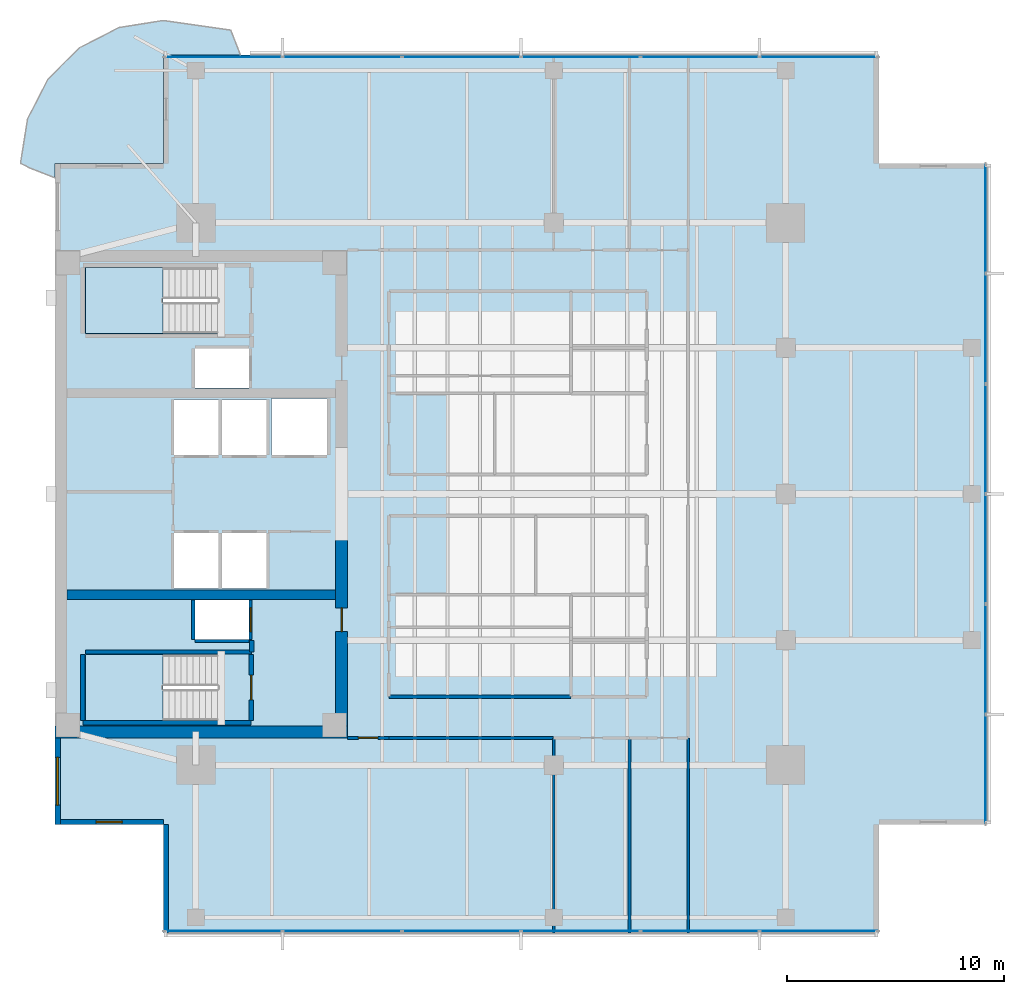
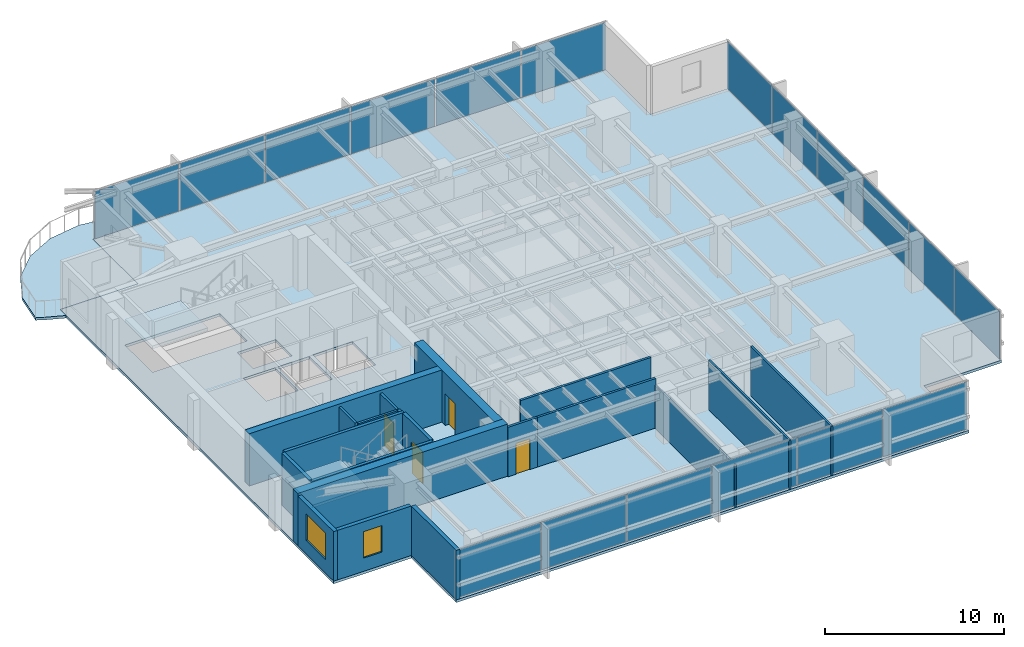
# One storey, part 7 of 15: 20 walls, 18 plates, 4 doors, 4 slabs, 2 windows, 6 openings, 5 elements without a shape of their own.
"""IFC4 building model written with IfcOpenShell, lengths in metres."""

from ifc_helpers import new_model, si_unit, direction, frame, frame_2d, origin, origin_2d, place, context, subcontext, project, spatial, polyline, rectangle, outline, extrude, material, layer, layer_set, type_object, element, fill, aggregate, save


model = new_model("IFC4")

# Units and contexts
model_context = context("Model", 3, precision=1e-05, world=origin(), true_north=direction((0.0, 1.0)))
body_context = subcontext(model_context, "Body", "Model", "MODEL_VIEW")
ifc_project = project(units=[si_unit("LENGTHUNIT", "METRE"), si_unit("AREAUNIT", "SQUARE_METRE"), si_unit("VOLUMEUNIT", "CUBIC_METRE"), si_unit("PLANEANGLEUNIT", "RADIAN"), si_unit("MASSUNIT", "GRAM", prefix="KILO")], contexts=[model_context])

# Site, building, storey
site_placement = place(None, origin())
site = spatial("IfcSite", under=ifc_project, at=site_placement, CompositionType="ELEMENT")
building_placement = place(site_placement, origin())
building = spatial("IfcBuilding", under=site, at=building_placement, Name="Kinhvarn Gate Tower", CompositionType="ELEMENT")
storey_placement = place(building_placement, frame((0.0, 0.0, 220.0)))
storey = spatial("IfcBuildingStorey", under=building, at=storey_placement, Name="L58", CompositionType="ELEMENT", Elevation=220.0)

# Curtain wall, plates
ifc_material_1 = material(Name="Anodised aluminium AW-6063", Category="aluminium")
ifc_layer_1 = layer(ifc_material_1, 0.179931640625)
ifc_layer_set_1 = layer_set([ifc_layer_1], Name="Anodised aluminium AW-6063")
curtain_wall_type = type_object("IfcCurtainWallType", Name="CW-SYS-3", PredefinedType="NOTDEFINED", material=ifc_layer_set_1)
curtain_wall_1_placement = place(storey_placement, origin())
curtain_wall_1 = element("IfcCurtainWall", 1, at=curtain_wall_1_placement, inside=storey, type_object=curtain_wall_type, Name="Curtain Wall CW3 (L58)", PredefinedType="NOTDEFINED")
ifc_material_2 = material(Name="Clear low-e double glazing", Category="glass")
ifc_layer_2 = layer(ifc_material_2, 0.031982421875)
ifc_layer_set_2 = layer_set([ifc_layer_2], Name="Clear low-e double glazing")
plate_type = type_object("IfcPlateType", Name="CW-PNL-VIS", PredefinedType="CURTAIN_PANEL", material=ifc_layer_set_2)
plate_1_placement = place(storey_placement, frame((12.266357421875, 5.090087890625, 0.070068359375), z_axis=(0.0, 0.0, 1.0), x_axis=(1.0, 0.0, 0.0)))
plate_1 = element("IfcPlate", 2, at=plate_1_placement, type_object=plate_type, Name="CW3 panel 1.1", PredefinedType="CURTAIN_PANEL", context=body_context, shape_type="SweptSolid", body=[
    extrude(rectangle(XDim=5.402587890625, YDim=0.031982421875, at=origin_2d()), origin(), (0.0, 0.0, 1.0), 3.22998046875),
])
plate_2_placement = place(storey_placement, frame((17.75, 5.090087890625, 0.070068359375), z_axis=(0.0, 0.0, 1.0), x_axis=(1.0, 0.0, 0.0)))
plate_2 = element("IfcPlate", 3, at=plate_2_placement, type_object=plate_type, Name="CW3 panel 2.1", PredefinedType="CURTAIN_PANEL", context=body_context, shape_type="SweptSolid", body=[
    extrude(rectangle(XDim=5.43505859375, YDim=0.031982421875, at=origin_2d()), origin(), (0.0, 0.0, 1.0), 3.22998046875),
])
plate_3_placement = place(storey_placement, frame((23.25, 5.090087890625, 0.070068359375), z_axis=(0.0, 0.0, 1.0), x_axis=(1.0, 0.0, 0.0)))
plate_3 = element("IfcPlate", 4, at=plate_3_placement, type_object=plate_type, Name="CW3 panel 3.1", PredefinedType="CURTAIN_PANEL", context=body_context, shape_type="SweptSolid", body=[
    extrude(rectangle(XDim=5.43505859375, YDim=0.031982421875, at=origin_2d()), origin(), (0.0, 0.0, 1.0), 3.22998046875),
])
plate_4_placement = place(storey_placement, frame((28.75, 5.090087890625, 0.070068359375), z_axis=(0.0, 0.0, 1.0), x_axis=(1.0, 0.0, 0.0)))
plate_4 = element("IfcPlate", 5, at=plate_4_placement, type_object=plate_type, Name="CW3 panel 4.1", PredefinedType="CURTAIN_PANEL", context=body_context, shape_type="SweptSolid", body=[
    extrude(rectangle(XDim=5.43505859375, YDim=0.031982421875, at=origin_2d()), origin(), (0.0, 0.0, 1.0), 3.22998046875),
])
plate_5_placement = place(storey_placement, frame((34.25, 5.090087890625, 0.070068359375), z_axis=(0.0, 0.0, 1.0), x_axis=(1.0, 0.0, 0.0)))
plate_5 = element("IfcPlate", 6, at=plate_5_placement, type_object=plate_type, Name="CW3 panel 5.1", PredefinedType="CURTAIN_PANEL", context=body_context, shape_type="SweptSolid", body=[
    extrude(rectangle(XDim=5.43505859375, YDim=0.031982421875, at=origin_2d()), origin(), (0.0, 0.0, 1.0), 3.22998046875),
])
plate_6_placement = place(storey_placement, frame((39.733642578125, 5.090087890625, 0.070068359375), z_axis=(0.0, 0.0, 1.0), x_axis=(1.0, 0.0, 0.0)))
plate_6 = element("IfcPlate", 7, at=plate_6_placement, type_object=plate_type, Name="CW3 panel 6.1", PredefinedType="CURTAIN_PANEL", context=body_context, shape_type="SweptSolid", body=[
    extrude(rectangle(XDim=5.402587890625, YDim=0.031982421875, at=origin_2d()), origin(), (0.0, 0.0, 1.0), 3.22998046875),
])
aggregate(curtain_wall_1, [plate_1, plate_2, plate_3, plate_4, plate_5, plate_6])

curtain_wall_2_placement = place(storey_placement, origin())
curtain_wall_2 = element("IfcCurtainWall", 8, at=curtain_wall_2_placement, inside=storey, type_object=curtain_wall_type, Name="Curtain Wall CW3 (L58)", PredefinedType="NOTDEFINED")
plate_7_placement = place(storey_placement, frame((39.733642578125, 45.409912109375, 0.070068359375), z_axis=(0.0, 0.0, 1.0), x_axis=(-1.0, 0.0, 0.0)))
plate_7 = element("IfcPlate", 9, at=plate_7_placement, type_object=plate_type, Name="CW3 panel 1.1", PredefinedType="CURTAIN_PANEL", context=body_context, shape_type="SweptSolid", body=[
    extrude(rectangle(XDim=5.402587890625, YDim=0.031982421875, at=origin_2d()), origin(), (0.0, 0.0, 1.0), 3.22998046875),
])
plate_8_placement = place(storey_placement, frame((34.25, 45.409912109375, 0.070068359375), z_axis=(0.0, 0.0, 1.0), x_axis=(-1.0, 0.0, 0.0)))
plate_8 = element("IfcPlate", 10, at=plate_8_placement, type_object=plate_type, Name="CW3 panel 2.1", PredefinedType="CURTAIN_PANEL", context=body_context, shape_type="SweptSolid", body=[
    extrude(rectangle(XDim=5.43505859375, YDim=0.031982421875, at=origin_2d()), origin(), (0.0, 0.0, 1.0), 3.22998046875),
])
plate_9_placement = place(storey_placement, frame((28.75, 45.409912109375, 0.070068359375), z_axis=(0.0, 0.0, 1.0), x_axis=(-1.0, 0.0, 0.0)))
plate_9 = element("IfcPlate", 11, at=plate_9_placement, type_object=plate_type, Name="CW3 panel 3.1", PredefinedType="CURTAIN_PANEL", context=body_context, shape_type="SweptSolid", body=[
    extrude(rectangle(XDim=5.43505859375, YDim=0.031982421875, at=origin_2d()), origin(), (0.0, 0.0, 1.0), 3.22998046875),
])
plate_10_placement = place(storey_placement, frame((23.25, 45.409912109375, 0.070068359375), z_axis=(0.0, 0.0, 1.0), x_axis=(-1.0, 0.0, 0.0)))
plate_10 = element("IfcPlate", 12, at=plate_10_placement, type_object=plate_type, Name="CW3 panel 4.1", PredefinedType="CURTAIN_PANEL", context=body_context, shape_type="SweptSolid", body=[
    extrude(rectangle(XDim=5.43505859375, YDim=0.031982421875, at=origin_2d()), origin(), (0.0, 0.0, 1.0), 3.22998046875),
])
plate_11_placement = place(storey_placement, frame((17.75, 45.409912109375, 0.070068359375), z_axis=(0.0, 0.0, 1.0), x_axis=(-1.0, 0.0, 0.0)))
plate_11 = element("IfcPlate", 13, at=plate_11_placement, type_object=plate_type, Name="CW3 panel 5.1", PredefinedType="CURTAIN_PANEL", context=body_context, shape_type="SweptSolid", body=[
    extrude(rectangle(XDim=5.43505859375, YDim=0.031982421875, at=origin_2d()), origin(), (0.0, 0.0, 1.0), 3.22998046875),
])
plate_12_placement = place(storey_placement, frame((12.266357421875, 45.409912109375, 0.070068359375), z_axis=(0.0, 0.0, 1.0), x_axis=(-1.0, 0.0, 0.0)))
plate_12 = element("IfcPlate", 14, at=plate_12_placement, type_object=plate_type, Name="CW3 panel 6.1", PredefinedType="CURTAIN_PANEL", context=body_context, shape_type="SweptSolid", body=[
    extrude(rectangle(XDim=5.402587890625, YDim=0.031982421875, at=origin_2d()), origin(), (0.0, 0.0, 1.0), 3.22998046875),
])
aggregate(curtain_wall_2, [plate_7, plate_8, plate_9, plate_10, plate_11, plate_12])

curtain_wall_3_placement = place(storey_placement, origin())
curtain_wall_3 = element("IfcCurtainWall", 15, at=curtain_wall_3_placement, inside=storey, type_object=curtain_wall_type, Name="Curtain Wall CW3 (L58)", PredefinedType="NOTDEFINED")
plate_13_placement = place(storey_placement, frame((47.409912109375, 12.557861328125, 0.070068359375), z_axis=(0.0, 0.0, 1.0), x_axis=(0.0, 1.0, 0.0)))
plate_13 = element("IfcPlate", 16, at=plate_13_placement, type_object=plate_type, Name="CW3 panel 1.1", PredefinedType="CURTAIN_PANEL", context=body_context, shape_type="SweptSolid", body=[
    extrude(rectangle(XDim=4.98583984375, YDim=0.031982421875, at=origin_2d()), origin(), (0.0, 0.0, 1.0), 3.22998046875),
])
plate_14_placement = place(storey_placement, frame((47.409912109375, 17.625, 0.070068359375), z_axis=(0.0, 0.0, 1.0), x_axis=(0.0, 1.0, 0.0)))
plate_14 = element("IfcPlate", 17, at=plate_14_placement, type_object=plate_type, Name="CW3 panel 2.1", PredefinedType="CURTAIN_PANEL", context=body_context, shape_type="SweptSolid", body=[
    extrude(rectangle(XDim=5.018310546875, YDim=0.031982421875, at=origin_2d()), origin(), (0.0, 0.0, 1.0), 3.22998046875),
])
plate_15_placement = place(storey_placement, frame((47.409912109375, 22.708251953125, 0.070068359375), z_axis=(0.0, 0.0, 1.0), x_axis=(0.0, 1.0, 0.0)))
plate_15 = element("IfcPlate", 18, at=plate_15_placement, type_object=plate_type, Name="CW3 panel 3.1", PredefinedType="CURTAIN_PANEL", context=body_context, shape_type="SweptSolid", body=[
    extrude(rectangle(XDim=5.018310546875, YDim=0.031982421875, at=origin_2d()), origin(), (0.0, 0.0, 1.0), 3.22998046875),
])
plate_16_placement = place(storey_placement, frame((47.409912109375, 27.791748046875, 0.070068359375), z_axis=(0.0, 0.0, 1.0), x_axis=(0.0, 1.0, 0.0)))
plate_16 = element("IfcPlate", 19, at=plate_16_placement, type_object=plate_type, Name="CW3 panel 4.1", PredefinedType="CURTAIN_PANEL", context=body_context, shape_type="SweptSolid", body=[
    extrude(rectangle(XDim=5.018310546875, YDim=0.031982421875, at=origin_2d()), origin(), (0.0, 0.0, 1.0), 3.22998046875),
])
plate_17_placement = place(storey_placement, frame((47.409912109375, 32.875, 0.070068359375), z_axis=(0.0, 0.0, 1.0), x_axis=(0.0, 1.0, 0.0)))
plate_17 = element("IfcPlate", 20, at=plate_17_placement, type_object=plate_type, Name="CW3 panel 5.1", PredefinedType="CURTAIN_PANEL", context=body_context, shape_type="SweptSolid", body=[
    extrude(rectangle(XDim=5.018310546875, YDim=0.031982421875, at=origin_2d()), origin(), (0.0, 0.0, 1.0), 3.22998046875),
])
plate_18_placement = place(storey_placement, frame((47.409912109375, 37.942138671875, 0.070068359375), z_axis=(0.0, 0.0, 1.0), x_axis=(0.0, 1.0, 0.0)))
plate_18 = element("IfcPlate", 21, at=plate_18_placement, type_object=plate_type, Name="CW3 panel 6.1", PredefinedType="CURTAIN_PANEL", context=body_context, shape_type="SweptSolid", body=[
    extrude(rectangle(XDim=4.98583984375, YDim=0.031982421875, at=origin_2d()), origin(), (0.0, 0.0, 1.0), 3.22998046875),
])
aggregate(curtain_wall_3, [plate_13, plate_14, plate_15, plate_16, plate_17, plate_18])

# Slabs
ifc_material_3 = material(Name="Precast white architectural concrete C40/50", Category="concrete")
ifc_layer_3 = layer(ifc_material_3, 0.179931640625)
ifc_layer_set_3 = layer_set([ifc_layer_3], Name="Precast white architectural concrete C40/50")
slab_type_1 = type_object("IfcSlabType", Name="SLB-BAL-180", PredefinedType="FLOOR", material=ifc_layer_set_3)
slab_1_placement = place(storey_placement, frame((0.0, 0.0, -0.179931640625)))
element("IfcSlab", 22, at=slab_1_placement, inside=storey, type_object=slab_type_1, Name="S-Carve Curved Terrace Balcony Slab L58 (NW)", PredefinedType="FLOOR", context=body_context, shape_type="SweptSolid", body=[
    extrude(outline(polyline([(13.056884765625, 45.5), (12.60693359375, 46.641845703125), (9.5, 47.0859375), (7.46484375, 46.763671875), (5.62890625, 45.828125), (4.171875, 44.37109375), (3.236328125, 42.53515625), (2.9140625, 40.5), (3.358154296875, 40.281982421875), (4.5, 39.83203125), (4.5, 40.5), (9.5, 40.5), (9.5, 45.5), (13.056884765625, 45.5)])), origin(), (0.0, 0.0, 1.0), 0.179931640625),
])
ifc_material_4 = material(Name="Concrete C40/50", Category="concrete")
ifc_layer_4 = layer(ifc_material_4, 0.179931640625)
ifc_layer_set_4 = layer_set([ifc_layer_4], Name="Concrete C40/50")
slab_type_2 = type_object("IfcSlabType", Name="SLB-FLR-180", PredefinedType="FLOOR", material=ifc_layer_set_4)
slab_2_placement = place(storey_placement, frame((0.0, 0.0, -0.179931640625)))
element("IfcSlab", 23, at=slab_2_placement, inside=storey, type_object=slab_type_2, Name="Suspended Floor Slab L58", PredefinedType="FLOOR", context=body_context, shape_type="SweptSolid", body=[
    extrude(outline(polyline([(9.5, 5.0), (42.5, 5.0), (42.5, 10.0), (47.5, 10.0), (47.5, 40.5), (42.5, 40.5), (42.5, 45.5), (9.5, 45.5), (9.5, 40.5), (4.5, 40.5), (4.5, 10.0), (9.5, 10.0), (9.5, 5.0)]), holes=[polyline([(5.89990234375, 14.800048828125), (12.0, 14.800048828125), (12.0, 17.85009765625), (5.89990234375, 17.85009765625), (5.89990234375, 14.800048828125)]), polyline([(5.89990234375, 32.64990234375), (12.0, 32.64990234375), (12.0, 35.699951171875), (5.89990234375, 35.699951171875), (5.89990234375, 32.64990234375)]), polyline([(10.0, 20.89990234375), (12.050048828125, 20.89990234375), (12.050048828125, 23.449951171875), (10.0, 23.449951171875), (10.0, 20.89990234375)]), polyline([(12.199951171875, 20.89990234375), (14.25, 20.89990234375), (14.25, 23.449951171875), (12.199951171875, 23.449951171875), (12.199951171875, 20.89990234375)]), polyline([(10.0, 27.050048828125), (12.050048828125, 27.050048828125), (12.050048828125, 29.60009765625), (10.0, 29.60009765625), (10.0, 27.050048828125)]), polyline([(12.199951171875, 27.050048828125), (14.25, 27.050048828125), (14.25, 29.60009765625), (12.199951171875, 29.60009765625), (12.199951171875, 27.050048828125)]), polyline([(14.5, 27.050048828125), (17.050048828125, 27.050048828125), (17.050048828125, 29.64990234375), (14.5, 29.64990234375), (14.5, 27.050048828125)]), polyline([(10.949951171875, 18.550048828125), (13.449951171875, 18.550048828125), (13.449951171875, 20.35009765625), (10.949951171875, 20.35009765625), (10.949951171875, 18.550048828125)]), polyline([(10.949951171875, 30.14990234375), (13.449951171875, 30.14990234375), (13.449951171875, 31.949951171875), (10.949951171875, 31.949951171875), (10.949951171875, 30.14990234375)])]), origin(), (0.0, 0.0, 1.0), 0.179931640625),
])

# Stair, slab
stair_type = type_object("IfcStairType", Name="STR-DLG-178", PredefinedType="HALF_TURN_STAIR", material=ifc_material_4)
stair_1_placement = place(storey_placement, origin())
stair_1 = element("IfcStair", 24, at=stair_1_placement, inside=storey, type_object=stair_type, Name="L58 Core Smokeproof Exit Stair ST1", PredefinedType="HALF_TURN_STAIR")
ifc_layer_5 = layer(ifc_material_4, 0.199951171875)
ifc_layer_set_5 = layer_set([ifc_layer_5], Name="Concrete C40/50")
slab_type_3 = type_object("IfcSlabType", Name="SLB-ST-LND", PredefinedType="LANDING", material=ifc_layer_set_5)
slab_3_placement = place(storey_placement, frame((0.0, 0.0, 1.574951171875)))
slab_3 = element("IfcSlab", 25, at=slab_3_placement, type_object=slab_type_3, Name="ST1 landing 1", PredefinedType="LANDING", context=body_context, shape_type="SweptSolid", body=[
    extrude(outline(polyline([(9.47998046875, 17.85009765625), (5.89990234375, 17.85009765625), (5.89990234375, 14.800048828125), (9.47998046875, 14.800048828125), (9.47998046875, 17.85009765625)])), origin(), (0.0, 0.0, 1.0), 0.199951171875),
])
aggregate(stair_1, [slab_3])

stair_2_placement = place(storey_placement, origin())
stair_2 = element("IfcStair", 26, at=stair_2_placement, inside=storey, type_object=stair_type, Name="L58 Core Smokeproof Exit Stair ST2", PredefinedType="HALF_TURN_STAIR")
slab_4_placement = place(storey_placement, frame((0.0, 0.0, 1.574951171875)))
slab_4 = element("IfcSlab", 27, at=slab_4_placement, type_object=slab_type_3, Name="ST2 landing 1", PredefinedType="LANDING", context=body_context, shape_type="SweptSolid", body=[
    extrude(outline(polyline([(9.47998046875, 35.699951171875), (5.89990234375, 35.699951171875), (5.89990234375, 32.64990234375), (9.47998046875, 32.64990234375), (9.47998046875, 35.699951171875)])), origin(), (0.0, 0.0, 1.0), 0.199951171875),
])
aggregate(stair_2, [slab_4])

# Walls
ifc_material_5 = material(Name="Concrete C50/60", Category="concrete")
ifc_layer_6 = layer(ifc_material_5, 0.449951171875)
ifc_layer_set_6 = layer_set([ifc_layer_6], Name="Concrete C50/60")
wall_type_1 = type_object("IfcWallType", Name="WL-CORE-450", PredefinedType="SHEAR", material=ifc_layer_set_6)
wall_1_placement = place(storey_placement, frame((5.050048828125, 20.60009765625, 0.0), z_axis=(0.0, 0.0, 1.0), x_axis=(1.0, 0.0, 0.0)))
element("IfcWall", 28, at=wall_1_placement, inside=storey, type_object=wall_type_1, Name="Core South Spine Shear Wall L58 450 mm", PredefinedType="SHEAR", context=body_context, shape_type="SweptSolid", body=[
    extrude(rectangle(XDim=12.39990234375, YDim=0.449951171875, at=frame_2d((6.199951171875, 0.0))), origin(), (0.0, 0.0, 1.0), 3.550048828125),
])
ifc_material_6 = material(Name="Concrete C60/75", Category="concrete")
ifc_layer_7 = layer(ifc_material_6, 0.550048828125)
ifc_layer_set_7 = layer_set([ifc_layer_7], Name="Concrete C60/75")
wall_type_2 = type_object("IfcWallType", Name="WL-CORE-550", PredefinedType="SHEAR", material=ifc_layer_set_7)
wall_2_placement = place(storey_placement, frame((4.5, 14.27490234375, 0.0), z_axis=(0.0, 0.0, 1.0), x_axis=(1.0, 0.0, 0.0)))
element("IfcWall", 29, at=wall_2_placement, inside=storey, type_object=wall_type_2, Name="Core South Shear Wall L58 550 mm", PredefinedType="SHEAR", context=body_context, shape_type="SweptSolid", body=[
    extrude(rectangle(XDim=13.5, YDim=0.550048828125, at=frame_2d((6.75, 0.0))), origin(), (0.0, 0.0, 1.0), 3.550048828125),
])

# Wall, opening, door
wall_3_placement = place(storey_placement, frame((17.72509765625, 14.550048828125, 0.0), z_axis=(0.0, 0.0, 1.0), x_axis=(0.0, 1.0, 0.0)))
wall_3 = element("IfcWall", 30, at=wall_3_placement, inside=storey, type_object=wall_type_2, Name="Core East-South Shear Pier L58 550 mm", PredefinedType="SHEAR", context=body_context, shape_type="SweptSolid", body=[
    extrude(rectangle(XDim=8.89990234375, YDim=0.550048828125, at=frame_2d((4.449951171875, 0.0))), origin(), (0.0, 0.0, 1.0), 3.550048828125),
])
opening_1_placement = place(wall_3_placement, frame((4.35009765625, 0.0, 0.0)))
opening_1 = element("IfcOpeningElement", 31, at=opening_1_placement, cuts=wall_3, Name="Opening FD-02", PredefinedType="OPENING", context=body_context, shape_type="SweptSolid", body=[
    extrude(rectangle(XDim=1.10009765625, YDim=2.14990234375, at=frame_2d((0.550048828125, 1.074951171875))), frame((0.0, 0.28515625, 0.0), z_axis=(0.0, -1.0, 0.0), x_axis=(1.0, 0.0, 0.0)), (0.0, 0.0, 1.0), 0.570068359375),
])
door_type_1 = type_object("IfcDoorType", Name="DR-FD-1100", OperationType="NOTDEFINED", PredefinedType="DOOR", material=ifc_material_1)
door_1_placement = place(opening_1_placement, origin())
door_1 = element("IfcDoor", 32, at=door_1_placement, inside=storey, type_object=door_type_1, Name="Firefighting Lobby Core Door (L58)", OperationType="SINGLE_SWING_RIGHT", OverallHeight=2.14990234375, OverallWidth=1.10009765625, PredefinedType="DOOR", context=body_context, shape_type="SweptSolid", body=[
    extrude(rectangle(XDim=1.10009765625, YDim=2.14990234375, at=frame_2d((0.550048828125, 1.074951171875))), frame((0.0, 0.02490234375, 0.0), z_axis=(0.0, -1.0, 0.0), x_axis=(1.0, 0.0, 0.0)), (0.0, 0.0, 1.0), 0.050048828125),
])
fill(opening_1, door_1)

# Wall, opening, window
ifc_material_7 = material(Name="Fired architectural terracotta", Category="masonry")
ifc_layer_8 = layer(ifc_material_7, 0.25)
ifc_layer_set_8 = layer_set([ifc_layer_8], Name="Fired architectural terracotta")
wall_type_3 = type_object("IfcWallType", Name="WL-EXT-250", PredefinedType="SOLIDWALL", material=ifc_layer_set_8)
wall_4_placement = place(storey_placement, frame((4.625, 14.0, 0.0), z_axis=(0.0, 0.0, 1.0), x_axis=(0.0, -1.0, 0.0)))
wall_4 = element("IfcWall", 33, at=wall_4_placement, inside=storey, type_object=wall_type_3, Name="Exterior Solidwall Wall EW-250 (L58 West-South)", PredefinedType="SOLIDWALL", context=body_context, shape_type="SweptSolid", body=[
    extrude(rectangle(XDim=4.0, YDim=0.25, at=frame_2d((2.0, 0.0))), origin(), (0.0, 0.0, 1.0), 3.3701171875),
])
opening_2_placement = place(wall_4_placement, frame((0.89990234375, 0.0, 0.89990234375)))
opening_2 = element("IfcOpeningElement", 34, at=opening_2_placement, cuts=wall_4, Name="Opening WN-01", PredefinedType="OPENING", context=body_context, shape_type="SweptSolid", body=[
    extrude(rectangle(XDim=2.199951171875, YDim=1.800048828125, at=frame_2d((1.10009765625, 0.89990234375))), frame((0.0, 0.135009765625, 0.0), z_axis=(0.0, -1.0, 0.0), x_axis=(1.0, 0.0, 0.0)), (0.0, 0.0, 1.0), 0.27001953125),
])
window_type_1 = type_object("IfcWindowType", Name="WIN-RIB-2200", PartitioningType="SINGLE_PANEL", PredefinedType="WINDOW", material=ifc_material_2)
window_1_placement = place(opening_2_placement, origin())
window_1 = element("IfcWindow", 35, at=window_1_placement, inside=storey, type_object=window_type_1, Name="West Flank Double-Glazed Ribbon Window 2200x1800 mm (L58)", OverallHeight=1.800048828125, OverallWidth=2.199951171875, PartitioningType="SINGLE_PANEL", PredefinedType="WINDOW", context=body_context, shape_type="SweptSolid", body=[
    extrude(rectangle(XDim=2.199951171875, YDim=1.800048828125, at=frame_2d((1.10009765625, 0.89990234375))), frame((0.0, 0.030029296875, 0.0), z_axis=(0.0, -1.0, 0.0), x_axis=(1.0, 0.0, 0.0)), (0.0, 0.0, 1.0), 0.06005859375),
])
fill(opening_2, window_1)

wall_5_placement = place(storey_placement, frame((4.5, 10.125, 0.0), z_axis=(0.0, 0.0, 1.0), x_axis=(1.0, 0.0, 0.0)))
wall_5 = element("IfcWall", 36, at=wall_5_placement, inside=storey, type_object=wall_type_3, Name="Exterior Solidwall Wall EW-250 (L58 SW-Notch-1)", PredefinedType="SOLIDWALL", context=body_context, shape_type="SweptSolid", body=[
    extrude(rectangle(XDim=5.0, YDim=0.25, at=frame_2d((2.5, 0.0))), origin(), (0.0, 0.0, 1.0), 3.3701171875),
])
opening_3_placement = place(wall_5_placement, frame((1.89990234375, 0.0, 0.89990234375)))
opening_3 = element("IfcOpeningElement", 37, at=opening_3_placement, cuts=wall_5, Name="Opening WN-02", PredefinedType="OPENING", context=body_context, shape_type="SweptSolid", body=[
    extrude(rectangle(XDim=1.199951171875, YDim=1.800048828125, at=frame_2d((0.60009765625, 0.89990234375))), frame((0.0, 0.135009765625, 0.0), z_axis=(0.0, -1.0, 0.0), x_axis=(1.0, 0.0, 0.0)), (0.0, 0.0, 1.0), 0.27001953125),
])
window_type_2 = type_object("IfcWindowType", Name="WIN-NTC-1200", PartitioningType="SINGLE_PANEL", PredefinedType="WINDOW", material=ifc_material_2)
window_2_placement = place(opening_3_placement, origin())
window_2 = element("IfcWindow", 38, at=window_2_placement, inside=storey, type_object=window_type_2, Name="Recessed Corner Notch Punched Window 1200x1800 mm (L58)", OverallHeight=1.800048828125, OverallWidth=1.199951171875, PartitioningType="SINGLE_PANEL", PredefinedType="WINDOW", context=body_context, shape_type="SweptSolid", body=[
    extrude(rectangle(XDim=1.199951171875, YDim=1.800048828125, at=frame_2d((0.60009765625, 0.89990234375))), frame((0.0, 0.030029296875, 0.0), z_axis=(0.0, -1.0, 0.0), x_axis=(1.0, 0.0, 0.0)), (0.0, 0.0, 1.0), 0.06005859375),
])
fill(opening_3, window_2)

# Walls
wall_6_placement = place(storey_placement, frame((9.625, 10.0, 0.0), z_axis=(0.0, 0.0, 1.0), x_axis=(0.0, -1.0, 0.0)))
element("IfcWall", 39, at=wall_6_placement, inside=storey, type_object=wall_type_3, Name="Exterior Solidwall Wall EW-250 (L58 SW-Notch-2)", PredefinedType="SOLIDWALL", context=body_context, shape_type="SweptSolid", body=[
    extrude(rectangle(XDim=5.0, YDim=0.25, at=frame_2d((2.5, 0.0))), origin(), (0.0, 0.0, 1.0), 3.3701171875),
])
ifc_material_8 = material(Name="Gypsum acoustic partition board")
ifc_layer_9 = layer(ifc_material_8, 0.1201171875)
ifc_layer_set_9 = layer_set([ifc_layer_9], Name="Gypsum acoustic partition board")
wall_type_4 = type_object("IfcWallType", Name="WL-PRT-120", PredefinedType="PARTITIONING", material=ifc_layer_set_9)
wall_7_placement = place(storey_placement, frame((27.5, 5.010009765625, 0.0), z_axis=(0.0, 0.0, 1.0), x_axis=(0.0, 1.0, 0.0)))
element("IfcWall", 40, at=wall_7_placement, inside=storey, type_object=wall_type_4, Name="Interior Partition PW-120 (L58)", PredefinedType="PARTITIONING", context=body_context, shape_type="SweptSolid", body=[
    extrude(rectangle(XDim=8.989990234375, YDim=0.1201171875, at=frame_2d((4.4951171875, 0.0))), origin(), (0.0, 0.0, 1.0), 2.919921875),
])
for number, where, z_axis, x_axis, name in (
    (41, (31.0, 5.010009765625, 0.0), (0.0, 0.0, 1.0), (0.0, 1.0, 0.0), "Interior Partition PW-120 (L58)"),
    (42, (33.699951171875, 5.010009765625, 0.0), (0.0, 0.0, 1.0), (0.0, 1.0, 0.0), "Interior Partition PW-120 (L58)"),
):
    element("IfcWall", number, at=place(storey_placement, frame(where, z_axis=z_axis, x_axis=x_axis)), inside=storey, type_object=wall_type_4, Name=name, PredefinedType="PARTITIONING", context=body_context, shape_type="SweptSolid", body=[
        extrude(rectangle(XDim=8.989990234375, YDim=0.1201171875, at=frame_2d((4.4951171875, 0.0))), origin(), (0.0, 0.0, 1.0), 3.3701171875),
    ])

# Wall, opening, door
ifc_layer_10 = layer(ifc_material_8, 0.14990234375)
ifc_layer_set_10 = layer_set([ifc_layer_10], Name="Gypsum acoustic partition board")
wall_type_5 = type_object("IfcWallType", Name="WL-PRT-150F", PredefinedType="PARTITIONING", material=ifc_layer_set_10)
wall_8_placement = place(storey_placement, frame((18.0, 14.0, 0.0), z_axis=(0.0, 0.0, 1.0), x_axis=(1.0, 0.0, 0.0)))
wall_8 = element("IfcWall", 43, at=wall_8_placement, inside=storey, type_object=wall_type_5, Name="Interior Partition PW-150F (L58)", PredefinedType="PARTITIONING", context=body_context, shape_type="SweptSolid", body=[
    extrude(rectangle(XDim=1.89990234375, YDim=0.14990234375, at=frame_2d((0.949951171875, 0.0))), origin(), (0.0, 0.0, 1.0), 3.3701171875),
])
opening_4_placement = place(wall_8_placement, frame((0.5, 0.0, 0.0)))
opening_4 = element("IfcOpeningElement", 44, at=opening_4_placement, cuts=wall_8, Name="Opening ID-03", PredefinedType="OPENING", context=body_context, shape_type="SweptSolid", body=[
    extrude(rectangle(XDim=0.89990234375, YDim=2.10009765625, at=frame_2d((0.449951171875, 1.050048828125))), frame((0.0, 0.0849609375, 0.0), z_axis=(0.0, -1.0, 0.0), x_axis=(1.0, 0.0, 0.0)), (0.0, 0.0, 1.0), 0.169921875),
])
door_type_2 = type_object("IfcDoorType", Name="DR-INT-900", OperationType="NOTDEFINED", PredefinedType="DOOR", material=ifc_material_1)
door_2_placement = place(opening_4_placement, origin())
door_2 = element("IfcDoor", 45, at=door_2_placement, inside=storey, type_object=door_type_2, Name="Cellular Office & Restroom Door 900x2100 mm (L58)", OperationType="SINGLE_SWING_RIGHT", OverallHeight=2.10009765625, OverallWidth=0.89990234375, PredefinedType="DOOR", context=body_context, shape_type="SweptSolid", body=[
    extrude(rectangle(XDim=0.89990234375, YDim=2.10009765625, at=frame_2d((0.449951171875, 1.050048828125))), frame((0.0, 0.02490234375, 0.0), z_axis=(0.0, -1.0, 0.0), x_axis=(1.0, 0.0, 0.0)), (0.0, 0.0, 1.0), 0.050048828125),
])
fill(opening_4, door_2)

# Walls
wall_9_placement = place(storey_placement, frame((19.89990234375, 15.89990234375, 0.0), z_axis=(0.0, 0.0, 1.0), x_axis=(1.0, 0.0, 0.0)))
element("IfcWall", 46, at=wall_9_placement, inside=storey, type_object=wall_type_5, Name="Interior Partition PW-150F (L58)", PredefinedType="PARTITIONING", context=body_context, shape_type="SweptSolid", body=[
    extrude(rectangle(XDim=8.400146484375, YDim=0.14990234375, at=frame_2d((4.2001953125, 0.0))), origin(), (0.0, 0.0, 1.0), 3.3701171875),
])
wall_10_placement = place(storey_placement, frame((19.89990234375, 14.0, 0.0), z_axis=(0.0, 0.0, 1.0), x_axis=(1.0, 0.0, 0.0)))
element("IfcWall", 47, at=wall_10_placement, inside=storey, type_object=wall_type_5, Name="Interior Partition PW-150F (L58)", PredefinedType="PARTITIONING", context=body_context, shape_type="SweptSolid", body=[
    extrude(rectangle(XDim=7.60009765625, YDim=0.14990234375, at=frame_2d((3.800048828125, 0.0))), origin(), (0.0, 0.0, 1.0), 3.3701171875),
])
ifc_layer_11 = layer(ifc_material_8, 0.199951171875)
ifc_layer_set_11 = layer_set([ifc_layer_11], Name="Gypsum acoustic partition board")
wall_type_6 = type_object("IfcWallType", Name="WL-PRT-200", PredefinedType="PARTITIONING", material=ifc_layer_set_11)
wall_11_placement = place(storey_placement, frame((13.580078125, 17.9599609375, 0.0), z_axis=(0.0, 0.0, 1.0), x_axis=(0.0, 1.0, 0.0)))
element("IfcWall", 48, at=wall_11_placement, inside=storey, type_object=wall_type_6, Name="Interior Partition PW-200 (L58)", PredefinedType="PARTITIONING", context=body_context, shape_type="SweptSolid", body=[
    extrude(rectangle(XDim=0.5400390625, YDim=0.199951171875, at=frame_2d((0.27001953125, 0.0))), origin(), (0.0, 0.0, 1.0), 3.3701171875),
])
ifc_layer_12 = layer(ifc_material_8, 0.14990234375)
ifc_layer_set_12 = layer_set([ifc_layer_12], Name="Gypsum acoustic partition board")
wall_type_7 = type_object("IfcWallType", Name="WL-SHF-150", PredefinedType="PARTITIONING", material=ifc_layer_set_12)
wall_12_placement = place(storey_placement, frame((10.949951171875, 18.47509765625, 0.0), z_axis=(0.0, 0.0, 1.0), x_axis=(1.0, 0.0, 0.0)))
element("IfcWall", 49, at=wall_12_placement, inside=storey, type_object=wall_type_7, Name="Elevator FF1 Hoistway Wall S (L58)", PredefinedType="PARTITIONING", context=body_context, shape_type="SweptSolid", body=[
    extrude(rectangle(XDim=2.5, YDim=0.14990234375, at=frame_2d((1.25, 0.0))), origin(), (0.0, 0.0, 1.0), 3.3701171875),
])
wall_13_placement = place(storey_placement, frame((10.875, 18.550048828125, 0.0), z_axis=(0.0, 0.0, 1.0), x_axis=(0.0, 1.0, 0.0)))
element("IfcWall", 50, at=wall_13_placement, inside=storey, type_object=wall_type_7, Name="Elevator FF1 Hoistway Wall W (L58)", PredefinedType="PARTITIONING", context=body_context, shape_type="SweptSolid", body=[
    extrude(rectangle(XDim=1.800048828125, YDim=0.14990234375, at=frame_2d((0.89990234375, 0.0))), origin(), (0.0, 0.0, 1.0), 3.3701171875),
])

# Wall, opening, door
wall_14_placement = place(storey_placement, frame((13.52490234375, 18.550048828125, 0.0), z_axis=(0.0, 0.0, 1.0), x_axis=(0.0, 1.0, 0.0)))
wall_14 = element("IfcWall", 51, at=wall_14_placement, inside=storey, type_object=wall_type_7, Name="Elevator FF1 Landing Wall (L58)", PredefinedType="PARTITIONING", context=body_context, shape_type="SweptSolid", body=[
    extrude(rectangle(XDim=1.800048828125, YDim=0.14990234375, at=frame_2d((0.89990234375, 0.0))), origin(), (0.0, 0.0, 1.0), 3.3701171875),
])
opening_5_placement = place(wall_14_placement, frame((0.35009765625, 0.0, 0.0)))
opening_5 = element("IfcOpeningElement", 52, at=opening_5_placement, cuts=wall_14, Name="Opening LD-03", PredefinedType="OPENING", context=body_context, shape_type="SweptSolid", body=[
    extrude(rectangle(XDim=1.10009765625, YDim=2.199951171875, at=frame_2d((0.550048828125, 1.10009765625))), frame((0.0, 0.0849609375, 0.0), z_axis=(0.0, -1.0, 0.0), x_axis=(1.0, 0.0, 0.0)), (0.0, 0.0, 1.0), 0.169921875),
])
door_type_3 = type_object("IfcDoorType", Name="DR-LND-FF", OperationType="NOTDEFINED", PredefinedType="DOOR", material=ifc_material_1)
door_3_placement = place(opening_5_placement, origin())
door_3 = element("IfcDoor", 53, at=door_3_placement, inside=storey, type_object=door_type_3, Name="Elevator FF1 Sliding Landing Door (L58)", OperationType="DOUBLE_DOOR_SLIDING", OverallHeight=2.199951171875, OverallWidth=1.10009765625, PredefinedType="DOOR", context=body_context, shape_type="SweptSolid", body=[
    extrude(rectangle(XDim=1.10009765625, YDim=2.199951171875, at=frame_2d((0.550048828125, 1.10009765625))), frame((0.0, 0.02490234375, 0.0), z_axis=(0.0, -1.0, 0.0), x_axis=(1.0, 0.0, 0.0)), (0.0, 0.0, 1.0), 0.050048828125),
])
fill(opening_5, door_3)

# Walls
ifc_layer_13 = layer(ifc_material_4, 0.199951171875)
ifc_layer_set_13 = layer_set([ifc_layer_13], Name="Concrete C40/50")
wall_type_8 = type_object("IfcWallType", Name="WL-SHF-200", PredefinedType="SOLIDWALL", material=ifc_layer_set_13)
wall_15_placement = place(storey_placement, frame((5.800048828125, 14.699951171875, 0.0), z_axis=(0.0, 0.0, 1.0), x_axis=(1.0, 0.0, 0.0)))
element("IfcWall", 54, at=wall_15_placement, inside=storey, type_object=wall_type_8, Name="Stair ST1 South Shaft Wall (L58)", PredefinedType="SOLIDWALL", context=body_context, shape_type="SweptSolid", body=[
    extrude(rectangle(XDim=7.75, YDim=0.199951171875, at=frame_2d((3.875, 0.0))), origin(), (0.0, 0.0, 1.0), 3.550048828125),
])
wall_16_placement = place(storey_placement, frame((5.7900390625, 14.800048828125, 0.0), z_axis=(0.0, 0.0, 1.0), x_axis=(0.0, 1.0, 0.0)))
element("IfcWall", 55, at=wall_16_placement, inside=storey, type_object=wall_type_8, Name="Stair ST1 West Shaft Wall (L58)", PredefinedType="SOLIDWALL", context=body_context, shape_type="SweptSolid", body=[
    extrude(rectangle(XDim=3.050048828125, YDim=0.199951171875, at=frame_2d((1.52490234375, 0.0))), origin(), (0.0, 0.0, 1.0), 3.550048828125),
])
wall_17_placement = place(storey_placement, frame((5.89990234375, 17.9599609375, 0.0), z_axis=(0.0, 0.0, 1.0), x_axis=(1.0, 0.0, 0.0)))
element("IfcWall", 56, at=wall_17_placement, inside=storey, type_object=wall_type_8, Name="Stair ST1 North Shaft Wall (L58)", PredefinedType="SOLIDWALL", context=body_context, shape_type="SweptSolid", body=[
    extrude(rectangle(XDim=7.66015625, YDim=0.199951171875, at=frame_2d((3.830078125, 0.0))), origin(), (0.0, 0.0, 1.0), 3.550048828125),
])

# Wall, opening, door
wall_18_placement = place(storey_placement, frame((13.56005859375, 14.800048828125, 0.0), z_axis=(0.0, 0.0, 1.0), x_axis=(0.0, 1.0, 0.0)))
wall_18 = element("IfcWall", 57, at=wall_18_placement, inside=storey, type_object=wall_type_8, Name="Stair ST1 East Entry Wall (L58)", PredefinedType="SOLIDWALL", context=body_context, shape_type="SweptSolid", body=[
    extrude(rectangle(XDim=3.050048828125, YDim=0.199951171875, at=frame_2d((1.52490234375, 0.0))), origin(), (0.0, 0.0, 1.0), 3.550048828125),
])
opening_6_placement = place(wall_18_placement, frame((0.949951171875, 0.0, 0.0)))
opening_6 = element("IfcOpeningElement", 58, at=opening_6_placement, cuts=wall_18, Name="Opening FD-01", PredefinedType="OPENING", context=body_context, shape_type="SweptSolid", body=[
    extrude(rectangle(XDim=1.14990234375, YDim=2.14990234375, at=frame_2d((0.574951171875, 1.074951171875))), frame((0.0, 0.10986328125, 0.0), z_axis=(0.0, -1.0, 0.0), x_axis=(1.0, 0.0, 0.0)), (0.0, 0.0, 1.0), 0.219970703125),
])
door_type_4 = type_object("IfcDoorType", Name="DR-ST-1150", OperationType="NOTDEFINED", PredefinedType="DOOR", material=ifc_material_1)
door_4_placement = place(opening_6_placement, origin())
door_4 = element("IfcDoor", 59, at=door_4_placement, inside=storey, type_object=door_type_4, Name="Exit Stair ST1 Fire Door (L58)", OperationType="SINGLE_SWING_RIGHT", OverallHeight=2.14990234375, OverallWidth=1.14990234375, PredefinedType="DOOR", context=body_context, shape_type="SweptSolid", body=[
    extrude(rectangle(XDim=1.14990234375, YDim=2.14990234375, at=frame_2d((0.574951171875, 1.074951171875))), frame((0.0, 0.02490234375, 0.0), z_axis=(0.0, -1.0, 0.0), x_axis=(1.0, 0.0, 0.0)), (0.0, 0.0, 1.0), 0.050048828125),
])
fill(opening_6, door_4)

save(model, "model.ifc")
